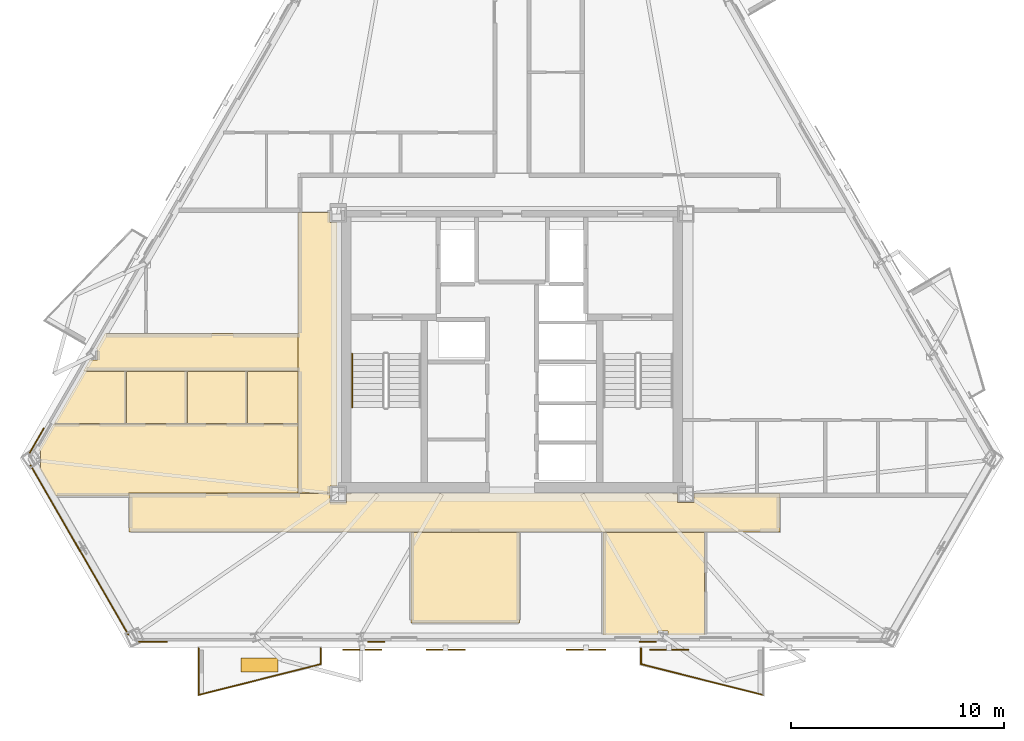
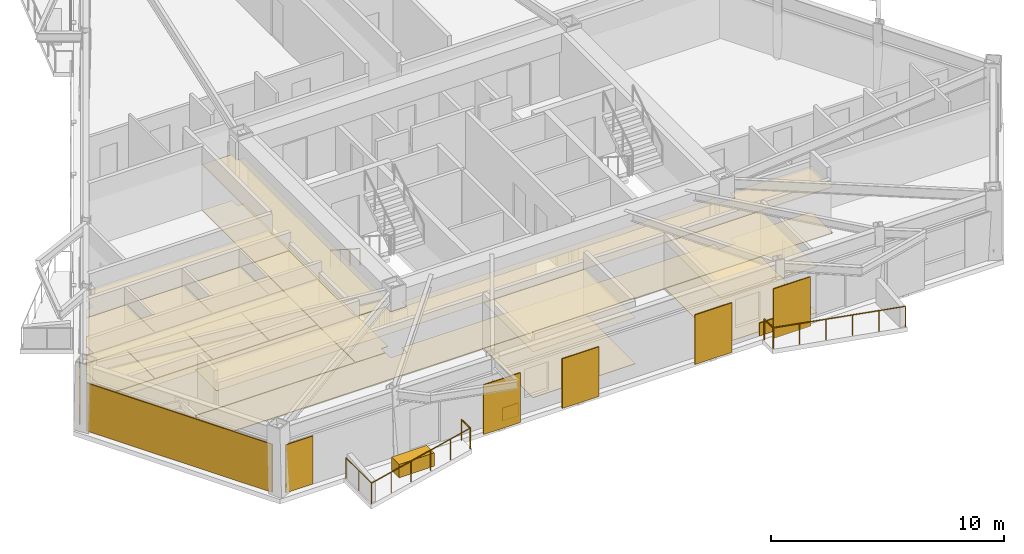
# One storey, part 7 of 9: 26 coverings, 6 railings, 4 shading devices.
"""IFC4 building model written with IfcOpenShell, lengths in metres."""

from ifc_helpers import new_model, si_unit, direction, frame, origin, origin_2d, place, context, subcontext, project, spatial, polyline, rectangle, circle, outline, extrude, material, layer, layer_set, type_object, element, save


model = new_model("IFC4")

# Units and contexts
model_context = context("Model", 3, precision=1e-05, world=origin(), true_north=direction((0.0, 1.0)))
body_context = subcontext(model_context, "Body", "Model", "MODEL_VIEW")
ifc_project = project(units=[si_unit("LENGTHUNIT", "METRE"), si_unit("AREAUNIT", "SQUARE_METRE"), si_unit("VOLUMEUNIT", "CUBIC_METRE"), si_unit("PLANEANGLEUNIT", "RADIAN"), si_unit("MASSUNIT", "GRAM", prefix="KILO")], contexts=[model_context])

# Site, building, storey
site_placement = place(None, origin())
site = spatial("IfcSite", under=ifc_project, at=site_placement, CompositionType="ELEMENT")
building_placement = place(site_placement, origin())
building = spatial("IfcBuilding", under=site, at=building_placement, Name="Oramaril Tower", CompositionType="ELEMENT")
storey_placement = place(building_placement, frame((0.0, 0.0, 145.800048828125)))
storey = spatial("IfcBuildingStorey", under=building, at=storey_placement, Name="L38", CompositionType="ELEMENT", Elevation=145.800048828125)

# Coverings
ifc_material_1 = material(Name="Mineral Fibre Acoustic Ceiling")
ifc_layer_1 = layer(ifc_material_1, 0.02001953125)
ifc_layer_set_1 = layer_set([ifc_layer_1], Name="CVT-CEIL")
covering_type_1 = type_object("IfcCoveringType", Name="CVT-CEIL", PredefinedType="CEILING", material=ifc_layer_set_1)
covering_1_placement = place(storey_placement, frame((0.0, 0.0, 2.411865234375)))
element("IfcCovering", 1, at=covering_1_placement, inside=storey, type_object=covering_type_1, Name="L38 Acoustic Suspended Ceiling 1", PredefinedType="CEILING", context=body_context, shape_type="SweptSolid", body=[
    extrude(outline(polyline([(28.955078125, 10.60498046875), (29.7451171875, 10.60498046875), (29.7451171875, 11.030029296875), (45.2548828125, 11.030029296875), (45.2548828125, 10.60498046875), (46.044921875, 10.60498046875), (46.044921875, 11.030029296875), (50.080078125, 11.030029296875), (50.080078125, 9.219970703125), (19.52001953125, 9.219970703125), (19.52001953125, 11.030029296875), (28.955078125, 11.030029296875), (28.955078125, 10.60498046875)])), origin(), (0.0, 0.0, 1.0), 0.02001953125),
])
covering_2_placement = place(storey_placement, frame((0.0, 0.0, 2.411865234375)))
element("IfcCovering", 2, at=covering_2_placement, inside=storey, type_object=covering_type_1, Name="L38 Acoustic Suspended Ceiling 3", PredefinedType="CEILING", context=body_context, shape_type="SweptSolid", body=[
    extrude(outline(polyline([(28.955078125, 23.7548828125), (29.280029296875, 23.7548828125), (29.280029296875, 11.39501953125), (28.955078125, 11.39501953125), (28.955078125, 11.050048828125), (27.469970703125, 11.050048828125), (27.469970703125, 24.219970703125), (28.955078125, 24.219970703125), (28.955078125, 23.7548828125)])), origin(), (0.0, 0.0, 1.0), 0.02001953125),
])
covering_3_placement = place(storey_placement, frame((0.0, 0.0, 2.411865234375)))
element("IfcCovering", 3, at=covering_3_placement, inside=storey, type_object=covering_type_1, Name="L38 Acoustic Suspended Ceiling 5", PredefinedType="CEILING", context=body_context, shape_type="SweptSolid", body=[
    extrude(outline(polyline([(17.389404296875, 16.77001953125), (17.69970703125, 17.307373046875), (18.055419921875, 17.307373046875), (18.055419921875, 17.8056640625), (17.987548828125, 17.8056640625), (18.40576171875, 18.530029296875), (27.449951171875, 18.530029296875), (27.449951171875, 16.77001953125), (17.389404296875, 16.77001953125)])), origin(), (0.0, 0.0, 1.0), 0.02001953125),
])
covering_4_placement = place(storey_placement, frame((0.0, 0.0, 2.411865234375)))
element("IfcCovering", 4, at=covering_4_placement, inside=storey, type_object=covering_type_1, Name="L38 Acoustic Suspended Ceiling 6", PredefinedType="CEILING", context=body_context, shape_type="SweptSolid", body=[
    extrude(outline(polyline([(32.758056640625, 4.9580078125), (32.758056640625, 9.199951171875), (37.842041015625, 9.199951171875), (37.842041015625, 4.9580078125), (32.758056640625, 4.9580078125)])), origin(), (0.0, 0.0, 1.0), 0.02001953125),
])
covering_5_placement = place(storey_placement, frame((0.0, 0.0, 2.411865234375)))
element("IfcCovering", 5, at=covering_5_placement, inside=storey, type_object=covering_type_1, Name="L38 Acoustic Suspended Ceiling 8", PredefinedType="CEILING", context=body_context, shape_type="SweptSolid", body=[
    extrude(outline(polyline([(44.81396484375, 4.38671875), (44.81396484375, 4.576416015625), (44.361083984375, 4.576416015625), (44.361083984375, 4.38671875), (41.758056640625, 4.38671875), (41.758056640625, 9.199951171875), (46.5205078125, 9.199951171875), (46.5205078125, 4.38671875), (44.81396484375, 4.38671875)])), origin(), (0.0, 0.0, 1.0), 0.02001953125),
])
covering_6_placement = place(storey_placement, frame((0.0, 0.0, 2.411865234375)))
element("IfcCovering", 6, at=covering_6_placement, inside=storey, type_object=covering_type_1, Name="L38 Acoustic Suspended Ceiling 9", PredefinedType="CEILING", context=body_context, shape_type="SweptSolid", body=[
    extrude(outline(polyline([(16.095703125, 10.907958984375), (15.325439453125, 12.24169921875), (15.367919921875, 12.24169921875), (15.367919921875, 13.05029296875), (15.285888671875, 13.05029296875), (16.005126953125, 14.2958984375), (27.449951171875, 14.2958984375), (27.449951171875, 11.050048828125), (19.52001953125, 11.050048828125), (19.51806640625, 11.0498046875), (19.51611328125, 11.049560546875), (19.51416015625, 11.049072265625), (19.51220703125, 11.048583984375), (19.510498046875, 11.047607421875), (19.5087890625, 11.046630859375), (19.50732421875, 11.04541015625), (19.505859375, 11.044189453125), (19.50439453125, 11.042724609375), (19.50341796875, 11.041015625), (19.50244140625, 11.039306640625), (19.50146484375, 11.03759765625), (19.5009765625, 11.035888671875), (19.50048828125, 11.033935546875), (19.5, 11.031982421875), (19.5, 11.030029296875), (19.5, 10.907958984375), (16.095703125, 10.907958984375)])), origin(), (0.0, 0.0, 1.0), 0.02001953125),
])
covering_7_placement = place(storey_placement, frame((0.0, 0.0, 2.411865234375)))
element("IfcCovering", 7, at=covering_7_placement, inside=storey, type_object=covering_type_1, Name="L38 Acoustic Suspended Ceiling 10", PredefinedType="CEILING", context=body_context, shape_type="SweptSolid", body=[
    extrude(outline(polyline([(17.421875, 16.75), (19.397216796875, 16.75), (19.397216796875, 14.31591796875), (16.0166015625, 14.31591796875), (17.421875, 16.75)])), origin(), (0.0, 0.0, 1.0), 0.02001953125),
])
covering_8_placement = place(storey_placement, frame((0.0, 0.0, 2.411865234375)))
element("IfcCovering", 8, at=covering_8_placement, inside=storey, type_object=covering_type_1, Name="L38 Acoustic Suspended Ceiling 11", PredefinedType="CEILING", context=body_context, shape_type="SweptSolid", body=[
    extrude(outline(polyline([(22.255615234375, 14.31591796875), (19.4169921875, 14.31591796875), (19.4169921875, 16.75), (22.255615234375, 16.75), (22.255615234375, 14.31591796875)])), origin(), (0.0, 0.0, 1.0), 0.02001953125),
])
covering_9_placement = place(storey_placement, frame((0.0, 0.0, 2.411865234375)))
element("IfcCovering", 9, at=covering_9_placement, inside=storey, type_object=covering_type_1, Name="L38 Acoustic Suspended Ceiling 12", PredefinedType="CEILING", context=body_context, shape_type="SweptSolid", body=[
    extrude(outline(polyline([(25.072021484375, 14.31591796875), (22.275634765625, 14.31591796875), (22.275634765625, 16.75), (25.072021484375, 16.75), (25.072021484375, 14.31591796875)])), origin(), (0.0, 0.0, 1.0), 0.02001953125),
])
covering_10_placement = place(storey_placement, frame((0.0, 0.0, 2.411865234375)))
element("IfcCovering", 10, at=covering_10_placement, inside=storey, type_object=covering_type_1, Name="L38 Acoustic Suspended Ceiling 13", PredefinedType="CEILING", context=body_context, shape_type="SweptSolid", body=[
    extrude(outline(polyline([(25.091796875, 16.75), (27.449951171875, 16.75), (27.449951171875, 14.31591796875), (25.091796875, 14.31591796875), (25.091796875, 16.75)])), origin(), (0.0, 0.0, 1.0), 0.02001953125),
])
ifc_material_2 = material(Name="Warm Cream Limestone", Category="masonry")
ifc_layer_2 = layer(ifc_material_2, 0.050048828125)
ifc_layer_set_2 = layer_set([ifc_layer_2], Name="CVT-CLD")
covering_type_2 = type_object("IfcCoveringType", Name="CVT-CLD", PredefinedType="CLADDING", material=ifc_layer_set_2)
covering_11_placement = place(storey_placement, frame((17.205810546875, 8.383056640625, 0.0400390625), z_axis=(0.0, 0.0, 1.0), x_axis=(0.500003022996, -0.86602365845, 0.0)))
element("IfcCovering", 11, at=covering_11_placement, inside=storey, type_object=covering_type_2, Name="L38 Warm Cream Limestone Cladding", PredefinedType="CLADDING", context=body_context, shape_type="SweptSolid", body=[
    extrude(rectangle(XDim=9.201416015625, YDim=0.050048828125, at=origin_2d()), origin(), (0.0, 0.0, 1.0), 2.52001953125),
])
covering_12_placement = place(storey_placement, frame((20.648193359375, 4.085693359375, 0.0400390625), z_axis=(0.0, 0.0, 1.0), x_axis=(1.0, 0.0, 0.0)))
element("IfcCovering", 12, at=covering_12_placement, inside=storey, type_object=covering_type_2, Name="L38 Warm Cream Limestone Cladding", PredefinedType="CLADDING", context=body_context, shape_type="SweptSolid", body=[
    extrude(rectangle(XDim=1.35009765625, YDim=0.050048828125, at=origin_2d()), origin(), (0.0, 0.0, 1.0), 2.52001953125),
])
for number, where, z_axis, x_axis, name in (
    (13, (31.12744140625, 4.085693359375, 0.0400390625), (0.0, 0.0, 1.0), (1.0, 0.0, 0.0), "L38 Warm Cream Limestone Spandrel Cladding"),
    (14, (43.87255859375, 4.085693359375, 0.0400390625), (0.0, 0.0, 1.0), (1.0, 0.0, 0.0), "L38 Warm Cream Limestone Spandrel Cladding"),
):
    element("IfcCovering", number, at=place(storey_placement, frame(where, z_axis=z_axis, x_axis=x_axis)), inside=storey, type_object=covering_type_2, Name=name, PredefinedType="CLADDING", context=body_context, shape_type="SweptSolid", body=[
        extrude(rectangle(XDim=0.800048828125, YDim=0.050048828125, at=origin_2d()), origin(), (0.0, 0.0, 1.0), 0.679931640625),
    ])
covering_13_placement = place(storey_placement, frame((15.20556640625, 13.512939453125, 0.0400390625), z_axis=(0.0, 0.0, 1.0), x_axis=(-0.4999984885, -0.866026276448, 0.0)))
element("IfcCovering", 15, at=covering_13_placement, inside=storey, type_object=covering_type_2, Name="L38 Warm Cream Limestone Cladding", PredefinedType="CLADDING", context=body_context, shape_type="SweptSolid", body=[
    extrude(rectangle(XDim=1.35009765625, YDim=0.050048828125, at=origin_2d()), origin(), (0.0, 0.0, 1.0), 2.52001953125),
])
covering_14_placement = place(storey_placement, frame((25.65771484375, 2.982421875, 0.0), z_axis=(0.0, 0.0, 1.0), x_axis=(1.0, 0.0, 0.0)))
element("IfcCovering", 16, at=covering_14_placement, inside=storey, type_object=covering_type_2, Name="L38 Structural Tree Planter Box L38-BAL-S1", PredefinedType="CLADDING", context=body_context, shape_type="SweptSolid", body=[
    extrude(rectangle(XDim=1.75, YDim=0.64990234375, at=origin_2d()), origin(), (0.0, 0.0, 1.0), 0.699951171875),
])
ifc_material_3 = material(Name="Honed Quartzite Stone Flooring", Category="masonry")
ifc_layer_3 = layer(ifc_material_3, 0.02490234375)
ifc_layer_set_3 = layer_set([ifc_layer_3], Name="CVT-FLR")
covering_type_3 = type_object("IfcCoveringType", Name="CVT-FLR", PredefinedType="FLOORING", material=ifc_layer_set_3)
covering_15_placement = place(storey_placement, origin())
element("IfcCovering", 17, at=covering_15_placement, inside=storey, type_object=covering_type_3, Name="L38 Honed Stone Floor Finish 1", PredefinedType="FLOORING", context=body_context, shape_type="SweptSolid", body=[
    extrude(outline(polyline([(28.955078125, 10.60498046875), (29.7451171875, 10.60498046875), (29.7451171875, 11.030029296875), (45.2548828125, 11.030029296875), (45.2548828125, 10.60498046875), (46.044921875, 10.60498046875), (46.044921875, 11.030029296875), (50.080078125, 11.030029296875), (50.080078125, 9.219970703125), (19.52001953125, 9.219970703125), (19.52001953125, 11.030029296875), (28.955078125, 11.030029296875), (28.955078125, 10.60498046875)])), origin(), (0.0, 0.0, 1.0), 0.02490234375),
])
covering_16_placement = place(storey_placement, origin())
element("IfcCovering", 18, at=covering_16_placement, inside=storey, type_object=covering_type_3, Name="L38 Honed Stone Floor Finish 3", PredefinedType="FLOORING", context=body_context, shape_type="SweptSolid", body=[
    extrude(outline(polyline([(28.955078125, 23.7548828125), (29.280029296875, 23.7548828125), (29.280029296875, 11.39501953125), (28.955078125, 11.39501953125), (28.955078125, 11.050048828125), (27.469970703125, 11.050048828125), (27.469970703125, 24.219970703125), (28.955078125, 24.219970703125), (28.955078125, 23.7548828125)])), origin(), (0.0, 0.0, 1.0), 0.02490234375),
])
covering_17_placement = place(storey_placement, origin())
element("IfcCovering", 19, at=covering_17_placement, inside=storey, type_object=covering_type_3, Name="L38 Honed Stone Floor Finish 5", PredefinedType="FLOORING", context=body_context, shape_type="SweptSolid", body=[
    extrude(outline(polyline([(17.389404296875, 16.77001953125), (17.69970703125, 17.307373046875), (18.055419921875, 17.307373046875), (18.055419921875, 17.8056640625), (17.987548828125, 17.8056640625), (18.40576171875, 18.530029296875), (27.449951171875, 18.530029296875), (27.449951171875, 16.77001953125), (17.389404296875, 16.77001953125)])), origin(), (0.0, 0.0, 1.0), 0.02490234375),
])
covering_18_placement = place(storey_placement, origin())
element("IfcCovering", 20, at=covering_18_placement, inside=storey, type_object=covering_type_3, Name="L38 Honed Stone Floor Finish 6", PredefinedType="FLOORING", context=body_context, shape_type="SweptSolid", body=[
    extrude(outline(polyline([(32.758056640625, 4.9580078125), (32.758056640625, 9.199951171875), (37.842041015625, 9.199951171875), (37.842041015625, 4.9580078125), (32.758056640625, 4.9580078125)])), origin(), (0.0, 0.0, 1.0), 0.02490234375),
])
covering_19_placement = place(storey_placement, origin())
element("IfcCovering", 21, at=covering_19_placement, inside=storey, type_object=covering_type_3, Name="L38 Honed Stone Floor Finish 8", PredefinedType="FLOORING", context=body_context, shape_type="SweptSolid", body=[
    extrude(outline(polyline([(44.81396484375, 4.38671875), (44.81396484375, 4.576416015625), (44.361083984375, 4.576416015625), (44.361083984375, 4.38671875), (41.758056640625, 4.38671875), (41.758056640625, 9.199951171875), (46.5205078125, 9.199951171875), (46.5205078125, 4.38671875), (44.81396484375, 4.38671875)])), origin(), (0.0, 0.0, 1.0), 0.02490234375),
])
covering_20_placement = place(storey_placement, origin())
element("IfcCovering", 22, at=covering_20_placement, inside=storey, type_object=covering_type_3, Name="L38 Honed Stone Floor Finish 9", PredefinedType="FLOORING", context=body_context, shape_type="SweptSolid", body=[
    extrude(outline(polyline([(16.095703125, 10.907958984375), (15.325439453125, 12.24169921875), (15.367919921875, 12.24169921875), (15.367919921875, 13.05029296875), (15.285888671875, 13.05029296875), (16.005126953125, 14.2958984375), (27.449951171875, 14.2958984375), (27.449951171875, 11.050048828125), (19.52001953125, 11.050048828125), (19.51806640625, 11.0498046875), (19.51611328125, 11.049560546875), (19.51416015625, 11.049072265625), (19.51220703125, 11.048583984375), (19.510498046875, 11.047607421875), (19.5087890625, 11.046630859375), (19.50732421875, 11.04541015625), (19.505859375, 11.044189453125), (19.50439453125, 11.042724609375), (19.50341796875, 11.041015625), (19.50244140625, 11.039306640625), (19.50146484375, 11.03759765625), (19.5009765625, 11.035888671875), (19.50048828125, 11.033935546875), (19.5, 11.031982421875), (19.5, 11.030029296875), (19.5, 10.907958984375), (16.095703125, 10.907958984375)])), origin(), (0.0, 0.0, 1.0), 0.02490234375),
])
covering_21_placement = place(storey_placement, origin())
element("IfcCovering", 23, at=covering_21_placement, inside=storey, type_object=covering_type_3, Name="L38 Honed Stone Floor Finish 10", PredefinedType="FLOORING", context=body_context, shape_type="SweptSolid", body=[
    extrude(outline(polyline([(17.421875, 16.75), (19.397216796875, 16.75), (19.397216796875, 14.31591796875), (16.0166015625, 14.31591796875), (17.421875, 16.75)])), origin(), (0.0, 0.0, 1.0), 0.02490234375),
])
covering_22_placement = place(storey_placement, origin())
element("IfcCovering", 24, at=covering_22_placement, inside=storey, type_object=covering_type_3, Name="L38 Honed Stone Floor Finish 11", PredefinedType="FLOORING", context=body_context, shape_type="SweptSolid", body=[
    extrude(outline(polyline([(22.255615234375, 14.31591796875), (19.4169921875, 14.31591796875), (19.4169921875, 16.75), (22.255615234375, 16.75), (22.255615234375, 14.31591796875)])), origin(), (0.0, 0.0, 1.0), 0.02490234375),
])
covering_23_placement = place(storey_placement, origin())
element("IfcCovering", 25, at=covering_23_placement, inside=storey, type_object=covering_type_3, Name="L38 Honed Stone Floor Finish 12", PredefinedType="FLOORING", context=body_context, shape_type="SweptSolid", body=[
    extrude(outline(polyline([(25.072021484375, 14.31591796875), (22.275634765625, 14.31591796875), (22.275634765625, 16.75), (25.072021484375, 16.75), (25.072021484375, 14.31591796875)])), origin(), (0.0, 0.0, 1.0), 0.02490234375),
])
covering_24_placement = place(storey_placement, origin())
element("IfcCovering", 26, at=covering_24_placement, inside=storey, type_object=covering_type_3, Name="L38 Honed Stone Floor Finish 13", PredefinedType="FLOORING", context=body_context, shape_type="SweptSolid", body=[
    extrude(outline(polyline([(25.091796875, 16.75), (27.449951171875, 16.75), (27.449951171875, 14.31591796875), (25.091796875, 14.31591796875), (25.091796875, 16.75)])), origin(), (0.0, 0.0, 1.0), 0.02490234375),
])

# Railings
ifc_material_4 = material(Name="Stainless Steel 316L", Category="steel")
railing_type_1 = type_object("IfcRailingType", Name="RLT-GRD", PredefinedType="GUARDRAIL", material=ifc_material_4)
railing_1_placement = place(storey_placement, frame((28.522705078125, 3.770751953125, 0.0)))
element("IfcRailing", 27, at=railing_1_placement, inside=storey, type_object=railing_type_1, Name="L38 Balcony Guardrail L38-BAL-S1.1", PredefinedType="GUARDRAIL", context=body_context, shape_type="SweptSolid", body=[
    extrude(circle(Radius=0.02392578125, at=origin_2d()), frame((0.0, 0.0, 1.076171875), z_axis=(0.0, -1.0, 0.0), x_axis=(1.0, 0.0, 0.0)), (0.0, 0.0, 1.0), 0.741943359375),
    extrude(circle(Radius=0.02099609375, at=origin_2d()), origin(), (0.0, 0.0, 1.0), 1.052001953125),
    extrude(circle(Radius=0.02099609375, at=origin_2d()), frame((0.0, -0.741943359375, 0.0)), (0.0, 0.0, 1.0), 1.052001953125),
])
railing_2_placement = place(storey_placement, frame((28.522705078125, 3.02880859375, 0.0)))
element("IfcRailing", 28, at=railing_2_placement, inside=storey, type_object=railing_type_1, Name="L38 Balcony Guardrail L38-BAL-S1.2", PredefinedType="GUARDRAIL", context=body_context, shape_type="SweptSolid", body=[
    extrude(circle(Radius=0.02392578125, at=origin_2d()), frame((0.0, 0.0, 1.076171875), z_axis=(-0.969443611257, -0.245314256807, 0.0), x_axis=(0.245314256807, -0.969443611257, 0.0)), (0.0, 0.0, 1.0), 5.91064453125),
    extrude(circle(Radius=0.02099609375, at=origin_2d()), origin(), (0.0, 0.0, 1.0), 1.052001953125),
    extrude(circle(Radius=0.02099609375, at=origin_2d()), frame((-1.14599609375, -0.2900390625, 0.0)), (0.0, 0.0, 1.0), 1.052001953125),
    extrude(circle(Radius=0.02099609375, at=origin_2d()), frame((-2.2919921875, -0.580078125, 0.0)), (0.0, 0.0, 1.0), 1.052001953125),
    extrude(circle(Radius=0.02099609375, at=origin_2d()), frame((-3.43798828125, -0.869873046875, 0.0)), (0.0, 0.0, 1.0), 1.052001953125),
    extrude(circle(Radius=0.02099609375, at=origin_2d()), frame((-4.583984375, -1.159912109375, 0.0)), (0.0, 0.0, 1.0), 1.052001953125),
    extrude(circle(Radius=0.02099609375, at=origin_2d()), frame((-5.72998046875, -1.449951171875, 0.0)), (0.0, 0.0, 1.0), 1.052001953125),
])
railing_3_placement = place(storey_placement, frame((22.792724609375, 1.578857421875, 0.0)))
element("IfcRailing", 29, at=railing_3_placement, inside=storey, type_object=railing_type_1, Name="L38 Balcony Guardrail L38-BAL-S1.3", PredefinedType="GUARDRAIL", context=body_context, shape_type="SweptSolid", body=[
    extrude(circle(Radius=0.02392578125, at=origin_2d()), frame((0.0, 0.0, 1.076171875), z_axis=(0.0, 1.0, 0.0), x_axis=(-1.0, 0.0, 0.0)), (0.0, 0.0, 1.0), 2.19189453125),
    extrude(circle(Radius=0.02099609375, at=origin_2d()), origin(), (0.0, 0.0, 1.0), 1.052001953125),
    extrude(circle(Radius=0.02099609375, at=origin_2d()), frame((0.0, 1.095947265625, 0.0)), (0.0, 0.0, 1.0), 1.052001953125),
    extrude(circle(Radius=0.02099609375, at=origin_2d()), frame((0.0, 2.19189453125, 0.0)), (0.0, 0.0, 1.0), 1.052001953125),
])
railing_4_placement = place(storey_placement, frame((49.2822265625, 1.578857421875, 0.0)))
element("IfcRailing", 30, at=railing_4_placement, inside=storey, type_object=railing_type_1, Name="L38 Balcony Guardrail L38-BAL-S2.2", PredefinedType="GUARDRAIL", context=body_context, shape_type="SweptSolid", body=[
    extrude(circle(Radius=0.02392578125, at=origin_2d()), frame((0.0, 0.0, 1.076171875), z_axis=(-0.969443611257, 0.245314256807, 0.0), x_axis=(-0.245314256807, -0.969443611257, 0.0)), (0.0, 0.0, 1.0), 5.91064453125),
    extrude(circle(Radius=0.02099609375, at=origin_2d()), origin(), (0.0, 0.0, 1.0), 1.052001953125),
    extrude(circle(Radius=0.02099609375, at=origin_2d()), frame((-1.14599609375, 0.2900390625, 0.0)), (0.0, 0.0, 1.0), 1.052001953125),
    extrude(circle(Radius=0.02099609375, at=origin_2d()), frame((-2.2919921875, 0.580078125, 0.0)), (0.0, 0.0, 1.0), 1.052001953125),
    extrude(circle(Radius=0.02099609375, at=origin_2d()), frame((-3.43798828125, 0.869873046875, 0.0)), (0.0, 0.0, 1.0), 1.052001953125),
    extrude(circle(Radius=0.02099609375, at=origin_2d()), frame((-4.583984375, 1.159912109375, 0.0)), (0.0, 0.0, 1.0), 1.052001953125),
    extrude(circle(Radius=0.02099609375, at=origin_2d()), frame((-5.72998046875, 1.449951171875, 0.0)), (0.0, 0.0, 1.0), 1.052001953125),
])
railing_5_placement = place(storey_placement, frame((43.55224609375, 3.02880859375, 0.0)))
element("IfcRailing", 31, at=railing_5_placement, inside=storey, type_object=railing_type_1, Name="L38 Balcony Guardrail L38-BAL-S2.3", PredefinedType="GUARDRAIL", context=body_context, shape_type="SweptSolid", body=[
    extrude(circle(Radius=0.02392578125, at=origin_2d()), frame((0.0, 0.0, 1.076171875), z_axis=(0.0, 1.0, 0.0), x_axis=(-1.0, 0.0, 0.0)), (0.0, 0.0, 1.0), 0.741943359375),
    extrude(circle(Radius=0.02099609375, at=origin_2d()), origin(), (0.0, 0.0, 1.0), 1.052001953125),
    extrude(circle(Radius=0.02099609375, at=origin_2d()), frame((0.0, 0.741943359375, 0.0)), (0.0, 0.0, 1.0), 1.052001953125),
])
ifc_material_5 = material(Name="Stainless Steel 316L", Category="steel")
railing_type_2 = type_object("IfcRailingType", Name="RLT-HND", PredefinedType="HANDRAIL", material=ifc_material_5)
railing_6_placement = place(storey_placement, frame((30.0, 17.590087890625, 0.179931640625)))
element("IfcRailing", 32, at=railing_6_placement, inside=storey, type_object=railing_type_2, Name="L38 ST-1 stair handrail 1", PredefinedType="HANDRAIL", context=body_context, shape_type="SweptSolid", body=[
    extrude(circle(Radius=0.02392578125, at=origin_2d()), frame((0.0, 0.0, 0.8759765625), z_axis=(0.0, -0.841162588446, 0.540782303519), x_axis=(1.0, 0.0, 0.0)), (0.0, 0.0, 1.0), 2.995849609375),
    extrude(circle(Radius=0.02099609375, at=origin_2d()), origin(), (0.0, 0.0, 1.0), 0.851806640625),
    extrude(circle(Radius=0.02099609375, at=origin_2d()), frame((0.0, -0.840087890625, 0.5400390625)), (0.0, 0.0, 1.0), 0.851806640625),
    extrude(circle(Radius=0.02099609375, at=origin_2d()), frame((0.0, -1.679931640625, 1.080078125)), (0.0, 0.0, 1.0), 0.851806640625),
    extrude(circle(Radius=0.02099609375, at=origin_2d()), frame((0.0, -2.52001953125, 1.6201171875)), (0.0, 0.0, 1.0), 0.851806640625),
])

# Shading devices
for number, where, z_axis, x_axis, name in (
    (33, (30.482666015625, 3.69873046875, -0.02001953125), (0.0, 0.0, 1.0), (1.0, 0.0, 0.0), "L38 Perforated Ceramic Solar Screen"),
    (34, (34.3828125, 3.69873046875, -0.02001953125), (0.0, 0.0, 1.0), (1.0, 0.0, 0.0), "L38 Perforated Ceramic Solar Screen"),
    (35, (40.972412109375, 3.69873046875, -0.02001953125), (0.0, 0.0, 1.0), (1.0, 0.0, 0.0), "L38 Perforated Ceramic Solar Screen"),
    (36, (44.87255859375, 3.69873046875, -0.02001953125), (0.0, 0.0, 1.0), (1.0, 0.0, 0.0), "L38 Perforated Ceramic Solar Screen"),
):
    element("IfcShadingDevice", number, at=place(storey_placement, frame(where, z_axis=z_axis, x_axis=x_axis)), inside=storey, Name=name, ObjectType="SCREEN", PredefinedType="USERDEFINED", context=body_context, shape_type="SweptSolid", body=[
        extrude(rectangle(XDim=1.8330078125, YDim=0.050048828125, at=origin_2d()), origin(), (0.0, 0.0, 1.0), 2.60009765625),
    ])

save(model, "model.ifc")
